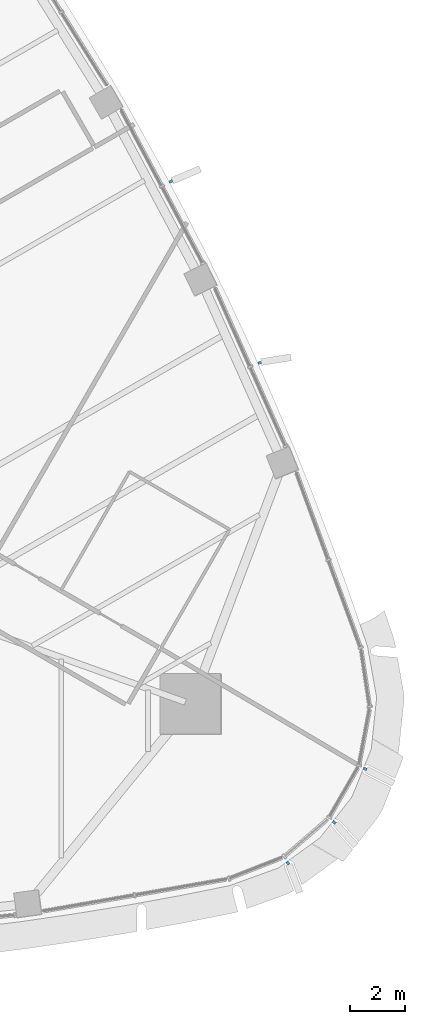
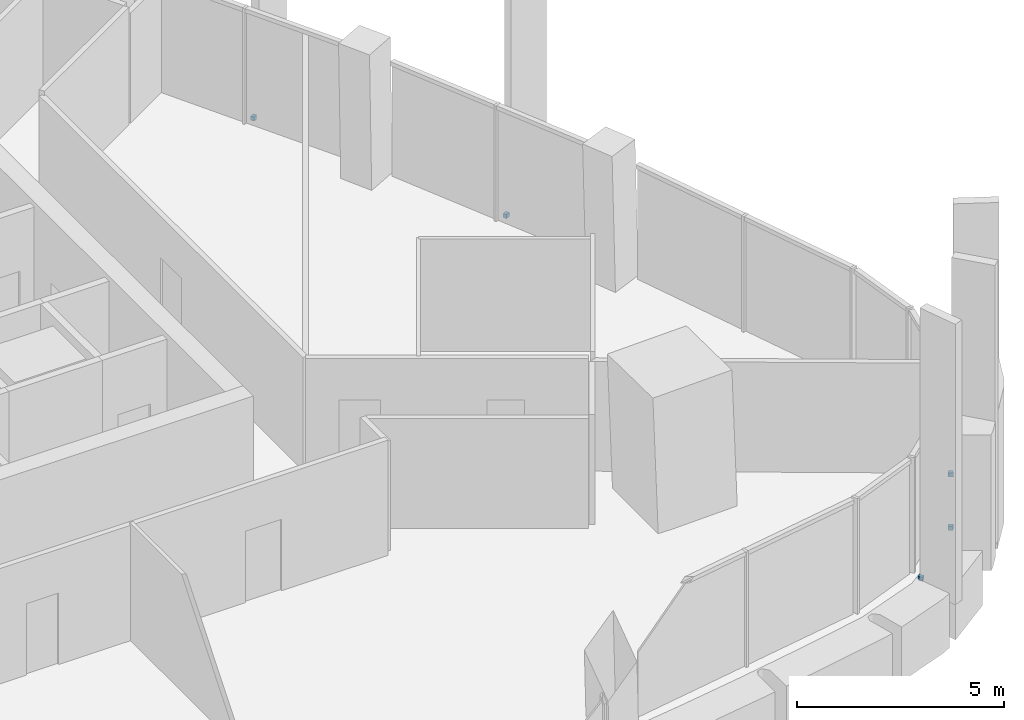
# One storey, part 14 of 19: 5 discrete accessories.
"""IFC4 building model written with IfcOpenShell, lengths in metres."""

from ifc_helpers import new_model, si_unit, direction, frame, origin, origin_2d, place, context, subcontext, project, spatial, rectangle, extrude, material, type_object, element, save


model = new_model("IFC4")

# Units and contexts
model_context = context("Model", 3, precision=1e-05, world=origin(), true_north=direction((0.0, 1.0)))
body_context = subcontext(model_context, "Body", "Model", "MODEL_VIEW")
ifc_project = project(units=[si_unit("LENGTHUNIT", "METRE"), si_unit("AREAUNIT", "SQUARE_METRE"), si_unit("VOLUMEUNIT", "CUBIC_METRE"), si_unit("PLANEANGLEUNIT", "RADIAN"), si_unit("MASSUNIT", "GRAM", prefix="KILO")], contexts=[model_context])

# Site, building, storey
site_placement = place(None, origin())
site = spatial("IfcSite", under=ifc_project, at=site_placement, CompositionType="ELEMENT")
building_placement = place(site_placement, origin())
building = spatial("IfcBuilding", under=site, at=building_placement, Name="Sierra Prisma Convention Tower", CompositionType="ELEMENT")
storey_placement = place(building_placement, frame((0.0, 0.0, 295.0)))
storey = spatial("IfcBuildingStorey", under=building, at=storey_placement, Name="L67", CompositionType="ELEMENT", Elevation=295.0)

# Discrete accessories
ifc_material = material(Name="Stainless steel 316", Category="steel")
discrete_accessory_type = type_object("IfcDiscreteAccessoryType", Name="Fin bracket", PredefinedType="BRACKET", material=ifc_material)
for number, where, z_axis, x_axis, name in (
    (1, (24.021728515625, -17.61767578125, -0.135009765625), (0.0, 0.0, 1.0), (0.586640339867, -0.809847585439, 0.0), "Fin bracket L67.19 base"),
    (2, (25.705810546875, -16.135498046875, -0.135009765625), (0.0, 0.0, 1.0), (0.787720389188, -0.616032944296, 0.0), "Fin bracket L67.20 base"),
    (3, (26.82666015625, -14.194091796875, -0.135009765625), (0.0, 0.0, 1.0), (0.927360373922, -0.374169395968, 0.0), "Fin bracket L67.21 base"),
    (4, (22.990478515625, 0.581298828125, -0.135009765625), (0.0, 0.0, 1.0), (0.914792688375, 0.403923677562, 0.0), "Fin bracket L67.27 base"),
    (5, (19.765869140625, 7.1728515625, -0.135009765625), (0.0, 0.0, 1.0), (0.883428660793, 0.468565685139, 0.0), "Fin bracket L67.30 base"),
):
    element("IfcDiscreteAccessory", number, at=place(storey_placement, frame(where, z_axis=z_axis, x_axis=x_axis)), inside=storey, type_object=discrete_accessory_type, Name=name, PredefinedType="BRACKET", context=body_context, shape_type="SweptSolid", body=[
        extrude(rectangle(XDim=0.1201171875, YDim=0.10009765625, at=origin_2d()), origin(), (0.0, 0.0, 1.0), 0.1201171875),
    ])

save(model, "model.ifc")
